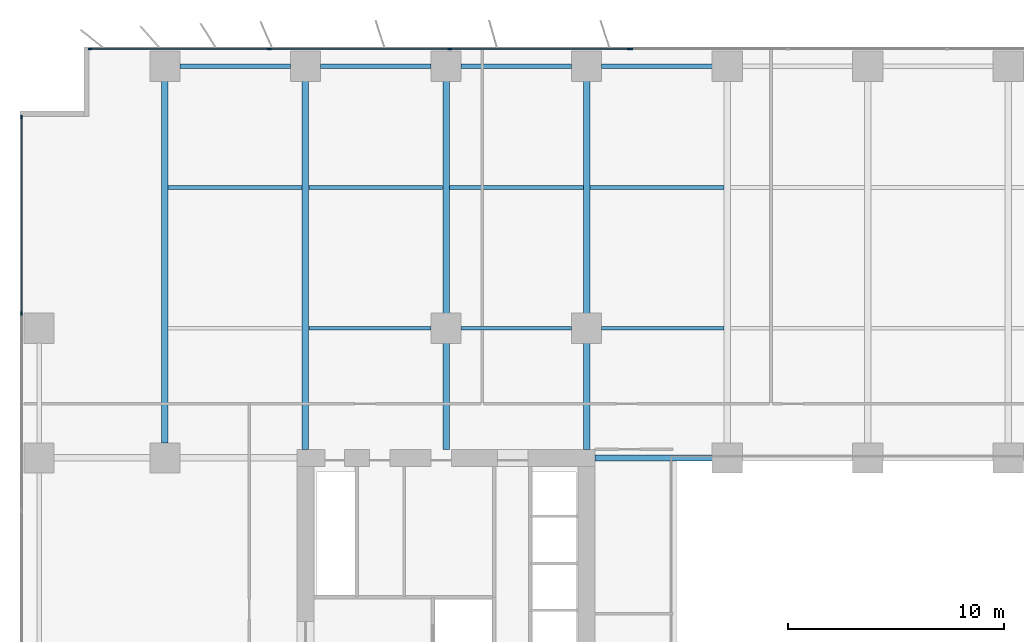
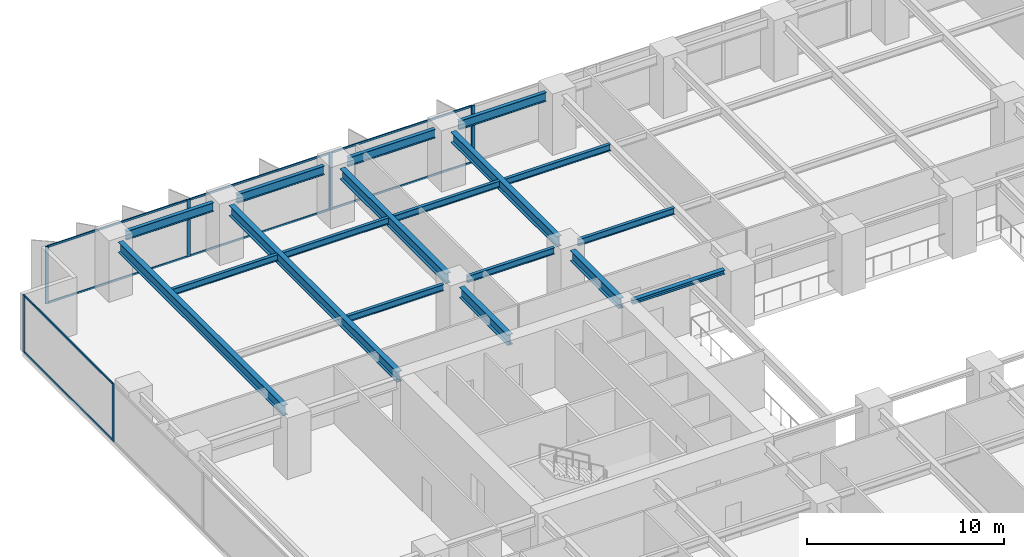
# One storey, part 7 of 20: 18 beams, 15 members, 3 elements without a shape of their own.
"""IFC4 building model written with IfcOpenShell, lengths in metres."""

import ifcopenshell
import ifcopenshell.guid

model = None  # the IFC model being written
_history = None  # IfcOwnerHistory: only IFC2X3 demands one
_inside = {}  # id of a spatial element -> (the spatial element, [elements in it])
_under = {}  # id of a project, library or spatial element -> (it, [spatial elements below it])
_declared = {}  # id of a project -> (the project, [libraries it declares])
_typed = {}  # id of a type object -> (the type object, [elements of that type])
_made_of = {}  # id of a material, layer set ... -> (it, [elements and type objects made of it])


def new_model(schema):
    """Start an empty IFC model of exactly this schema.

    Asked for "IFC4X3", IfcOpenShell would pick the latest addendum, in which some entities
    have other attributes; the version numbers below select the first issue.
    IFC2X3 requires an IfcOwnerHistory on every rooted entity: one is made here for all.
    """
    global model, _history
    if schema == "IFC4X3":
        model = ifcopenshell.file(schema_version=(4, 3, 0, 0))
    else:
        model = ifcopenshell.file(schema=schema)
    _inside.clear()
    _under.clear()
    _declared.clear()
    _typed.clear()
    _made_of.clear()
    _history = None
    if model.schema == "IFC2X3":
        org = make("IfcOrganization", Name="unknown")
        user = make(
            "IfcPersonAndOrganization",
            ThePerson=make("IfcPerson", FamilyName="unknown"),
            TheOrganization=org,
        )
        app = make(
            "IfcApplication",
            ApplicationDeveloper=org,
            Version="unknown",
            ApplicationFullName="unknown",
            ApplicationIdentifier="unknown",
        )
        _history = make(
            "IfcOwnerHistory",
            OwningUser=user,
            OwningApplication=app,
            ChangeAction="ADDED",
            CreationDate=0,
        )
    return model


def make(cls, **values):
    """One entity of the class cls with the attributes given. An attribute that is None is left unset."""
    return model.create_entity(
        cls, **{name: value for name, value in values.items() if value is not None}
    )


def rooted(cls, **values):
    """An entity with a GlobalId (a new one), such as an element, a storey or a relation."""
    return make(cls, GlobalId=ifcopenshell.guid.new(), OwnerHistory=_history, **values)


def si_unit(unit_type, name, prefix=None):
    """IfcSIUnit, for example si_unit("LENGTHUNIT", "METRE", prefix="MILLI")."""
    return make("IfcSIUnit", UnitType=unit_type, Prefix=prefix, Name=name)


def assignment(units):
    """IfcUnitAssignment: the units of a project."""
    return None if units is None else make("IfcUnitAssignment", Units=units)


def point(xyz):
    """IfcCartesianPoint."""
    return None if xyz is None else make("IfcCartesianPoint", Coordinates=xyz)


def direction(xyz):
    """IfcDirection."""
    return None if xyz is None else make("IfcDirection", DirectionRatios=xyz)


def frame(location, z_axis=None, x_axis=None):
    """IfcAxis2Placement3D, a coordinate frame: its origin and axes. An axis left out is left unset."""
    return make(
        "IfcAxis2Placement3D",
        Location=point(location),
        Axis=direction(z_axis),
        RefDirection=direction(x_axis),
    )


def frame_2d(location, x_axis=None):
    """IfcAxis2Placement2D, a coordinate frame in the plane: its origin and x axis."""
    return make(
        "IfcAxis2Placement2D", Location=point(location), RefDirection=direction(x_axis)
    )


def origin():
    """The frame at (0, 0, 0) with its axes left unset."""
    return frame((0.0, 0.0, 0.0))


def origin_2d():
    """The frame at (0, 0) in the plane with its x axis left unset."""
    return frame_2d((0.0, 0.0))


def place(relative_to, where):
    """IfcLocalPlacement: puts the frame where relative to a parent placement (None: the world)."""
    return make(
        "IfcLocalPlacement", PlacementRelTo=relative_to, RelativePlacement=where
    )


def context(
    kind, dimensions, precision=None, world=None, true_north=None, identifier=None
):
    """IfcGeometricRepresentationContext, for example the 3D "Model" context."""
    return make(
        "IfcGeometricRepresentationContext",
        ContextIdentifier=identifier,
        ContextType=kind,
        CoordinateSpaceDimension=dimensions,
        Precision=precision,
        WorldCoordinateSystem=world,
        TrueNorth=true_north,
    )


def subcontext(parent, identifier, kind, view, scale=None):
    """IfcGeometricRepresentationSubContext, for example "Body" below "Model"."""
    return make(
        "IfcGeometricRepresentationSubContext",
        ContextIdentifier=identifier,
        ContextType=kind,
        ParentContext=parent,
        TargetScale=scale,
        TargetView=view,
    )


def project(units=None, contexts=None):
    """IfcProject with its units and contexts."""
    return rooted(
        "IfcProject",
        Name="project",
        RepresentationContexts=contexts,
        UnitsInContext=assignment(units),
    )


def spatial(cls, under=None, at=None, **own):
    """A site, building, storey or space (cls), placed at a placement, below another one or the project."""
    s = rooted(cls, ObjectPlacement=at, **own)
    if under is not None:
        _under.setdefault(under.id(), (under, []))[1].append(s)
    return s


def profile(cls, at=None, kind="AREA", **sizes):
    """A parametric profile (cls). Its sizes go by their IFC names, for example OverallWidth=200.0."""
    return make(cls, ProfileType=kind, Position=at, **sizes)


def rectangle(**sizes):
    """IfcRectangleProfileDef."""
    return profile("IfcRectangleProfileDef", **sizes)


def i_section(**sizes):
    """IfcIShapeProfileDef."""
    return profile("IfcIShapeProfileDef", **sizes)


def extrude(swept, where, along, depth):
    """IfcExtrudedAreaSolid: the profile swept, set in the frame where, extruded along a direction by depth."""
    return make(
        "IfcExtrudedAreaSolid",
        SweptArea=swept,
        Position=where,
        ExtrudedDirection=direction(along),
        Depth=depth,
    )


def shape(context_of_items, identifier, shape_type, items):
    """IfcShapeRepresentation: the items that make up one representation, for example the "Body"."""
    return make(
        "IfcShapeRepresentation",
        ContextOfItems=context_of_items,
        RepresentationIdentifier=identifier,
        RepresentationType=shape_type,
        Items=items,
    )


def material(Name=None, Category=None):
    """IfcMaterial."""
    return make("IfcMaterial", Name=Name, Category=Category)


def layer(
    of_material, thickness, ventilated=None, Name=None, Category=None, Priority=None
):
    """IfcMaterialLayer: one layer of a wall or slab, of a material (None: an air gap)."""
    return make(
        "IfcMaterialLayer",
        Material=of_material,
        LayerThickness=thickness,
        IsVentilated=ventilated,
        Name=Name,
        Category=Category,
        Priority=Priority,
    )


def layer_set(layers, Name=None):
    """IfcMaterialLayerSet."""
    return make("IfcMaterialLayerSet", MaterialLayers=layers, LayerSetName=Name)


def material_profile(
    of_material, cross_section, Name=None, Category=None, Priority=None
):
    """IfcMaterialProfile: a cross section and its material."""
    return make(
        "IfcMaterialProfile",
        Name=Name,
        Material=of_material,
        Profile=cross_section,
        Priority=Priority,
        Category=Category,
    )


def profile_set(profiles, Name=None, composite=None):
    """IfcMaterialProfileSet."""
    return make(
        "IfcMaterialProfileSet",
        Name=Name,
        MaterialProfiles=profiles,
        CompositeProfile=composite,
    )


def made_of(thing, what):
    """Note that an element or type object is made of a material, layer set ...; save() writes the relation."""
    if what is not None:
        _made_of.setdefault(what.id(), (what, []))[1].append(thing)
    return thing


def type_object(cls, material=None, **own):
    """A type object (cls), such as IfcWallType, which elements share."""
    return made_of(rooted(cls, **own), material)


def element(
    cls,
    number,
    at=None,
    inside=None,
    cuts=None,
    type_object=None,
    material=None,
    context=None,
    identifier="Body",
    shape_type=None,
    held_by="IfcProductDefinitionShape",
    body=None,
    shapes=None,
    **own,
):
    """One element of the class cls, such as IfcWall. Its Tag is "e" and its number.

    at: its placement. inside: the storey or other place that contains it. cuts: it is an
    opening in that element (IfcRelVoidsElement). A single representation is given by context,
    identifier, shape_type and body (its items); several are given by shapes. held_by: the class
    of the entity that holds the representations. save() writes the other relations.
    """
    e = rooted(cls, Tag="e%d" % number, ObjectPlacement=at, **own)
    if body is not None:
        shapes = [shape(context, identifier, shape_type, body)]
    if shapes is not None:
        e.Representation = make(held_by, Representations=shapes)
    if inside is not None:
        _inside.setdefault(inside.id(), (inside, []))[1].append(e)
    if cuts is not None:
        rooted(
            "IfcRelVoidsElement", RelatingBuildingElement=cuts, RelatedOpeningElement=e
        )
    if type_object is not None:
        _typed.setdefault(type_object.id(), (type_object, []))[1].append(e)
    return made_of(e, material)


def aggregate(whole, parts):
    """IfcRelAggregates: a whole, such as a stair, and the parts it consists of."""
    return rooted("IfcRelAggregates", RelatingObject=whole, RelatedObjects=parts)


def save(model, path):
    """Write the relations noted so far, then the file.

    IfcRelAggregates (storeys below a building ...), IfcRelContainedInSpatialStructure (elements
    in a storey), IfcRelDefinesByType, IfcRelAssociatesMaterial and IfcRelDeclares: one each for
    every whole, place, type object, material and project.
    """
    for whole, parts in _under.values():
        aggregate(whole, parts)
    for where, things in _inside.values():
        rooted(
            "IfcRelContainedInSpatialStructure",
            RelatedElements=things,
            RelatingStructure=where,
        )
    for kind, things in _typed.values():
        rooted("IfcRelDefinesByType", RelatedObjects=things, RelatingType=kind)
    for what, things in _made_of.values():
        rooted("IfcRelAssociatesMaterial", RelatedObjects=things, RelatingMaterial=what)
    for by, libraries in _declared.values():
        rooted("IfcRelDeclares", RelatingContext=by, RelatedDefinitions=libraries)
    model.write(path)


model = new_model("IFC4")

# Units and contexts
model_context = context("Model", 3, precision=1e-05, world=origin(), true_north=direction((0.0, 1.0)))
body_context = subcontext(model_context, "Body", "Model", "MODEL_VIEW")
ifc_project = project(units=[si_unit("LENGTHUNIT", "METRE"), si_unit("AREAUNIT", "SQUARE_METRE"), si_unit("VOLUMEUNIT", "CUBIC_METRE"), si_unit("PLANEANGLEUNIT", "RADIAN"), si_unit("MASSUNIT", "GRAM", prefix="KILO")], contexts=[model_context])

# Site, building, storey
site_placement = place(None, origin())
site = spatial("IfcSite", under=ifc_project, at=site_placement, CompositionType="ELEMENT")
building_placement = place(site_placement, origin())
building = spatial("IfcBuilding", under=site, at=building_placement, Name="Putna Gate Headquarters", CompositionType="ELEMENT")
storey_placement = place(building_placement, frame((0.0, 0.0, 65.800048828125)))
storey = spatial("IfcBuildingStorey", under=building, at=storey_placement, Name="L15", CompositionType="ELEMENT", Elevation=65.800048828125)

# Beams
ifc_material_1 = material(Name="Steel S355J2", Category="steel")
ifc_material_profile_1 = material_profile(ifc_material_1, i_section(OverallWidth=0.260009765625, OverallDepth=0.260009765625, WebThickness=0.010009765625, FlangeThickness=0.017578125, at=origin_2d()), Name="Steel S355J2")
ifc_profile_set_1 = profile_set([ifc_material_profile_1], Name="Steel S355J2")
beam_type_1 = type_object("IfcBeamType", Name="BM-ATRIUM-HEB260", PredefinedType="BEAM", material=ifc_profile_set_1)
beam_1_placement = place(storey_placement, frame((26.385009765625, 33.0, 3.419921875), z_axis=(1.0, 0.0, 0.0), x_axis=(0.0, 1.0, 0.0)))
element("IfcBeam", 1, at=beam_1_placement, inside=storey, type_object=beam_type_1, Name="L15 Atrium Edge Beam AN1", PredefinedType="BEAM", context=body_context, shape_type="SweptSolid", body=[
    extrude(i_section(OverallWidth=0.260009765625, OverallDepth=0.260009765625, WebThickness=0.010009765625, FlangeThickness=0.017578125, at=origin_2d()), origin(), (0.0, 0.0, 1.0), 5.427001953125),
])
ifc_material_profile_2 = material_profile(ifc_material_1, i_section(OverallWidth=0.300048828125, OverallDepth=0.64990234375, WebThickness=0.01611328125, FlangeThickness=0.031005859375, at=origin_2d()), Name="Steel S355J2")
ifc_profile_set_2 = profile_set([ifc_material_profile_2], Name="Steel S355J2")
beam_type_2 = type_object("IfcBeamType", Name="BM-GIRD-Z1-HEB650", PredefinedType="USERDEFINED", material=ifc_profile_set_2)
beam_2_placement = place(storey_placement, frame((6.5, 33.68798828125, 3.224853515625), z_axis=(0.0, 1.0, 0.0), x_axis=(-1.0, 0.0, 0.0)))
element("IfcBeam", 2, at=beam_2_placement, inside=storey, type_object=beam_type_2, Name="L15 North Primary Girder X6", ObjectType="GIRDER", PredefinedType="USERDEFINED", context=body_context, shape_type="SweptSolid", body=[
    extrude(i_section(OverallWidth=0.300048828125, OverallDepth=0.64990234375, WebThickness=0.01611328125, FlangeThickness=0.031005859375, at=origin_2d()), origin(), (0.0, 0.0, 1.0), 16.743896484375),
])
beam_3_placement = place(storey_placement, frame((13.0, 33.385009765625, 3.224853515625), z_axis=(0.0, 1.0, 0.0), x_axis=(-1.0, 0.0, 0.0)))
element("IfcBeam", 3, at=beam_3_placement, inside=storey, type_object=beam_type_2, Name="L15 North Primary Girder X13", ObjectType="GIRDER", PredefinedType="USERDEFINED", context=body_context, shape_type="SweptSolid", body=[
    extrude(i_section(OverallWidth=0.300048828125, OverallDepth=0.64990234375, WebThickness=0.01611328125, FlangeThickness=0.031005859375, at=origin_2d()), origin(), (0.0, 0.0, 1.0), 17.046875),
])
beam_4_placement = place(storey_placement, frame((19.5, 33.385009765625, 3.224853515625), z_axis=(0.0, 1.0, 0.0), x_axis=(-1.0, 0.0, 0.0)))
element("IfcBeam", 4, at=beam_4_placement, inside=storey, type_object=beam_type_2, Name="L15 North Primary Girder X19-1", ObjectType="GIRDER", PredefinedType="USERDEFINED", context=body_context, shape_type="SweptSolid", body=[
    extrude(i_section(OverallWidth=0.300048828125, OverallDepth=0.64990234375, WebThickness=0.01611328125, FlangeThickness=0.031005859375, at=origin_2d()), origin(), (0.0, 0.0, 1.0), 4.927001953125),
])
beam_5_placement = place(storey_placement, frame((19.5, 39.68798828125, 3.224853515625), z_axis=(0.0, 1.0, 0.0), x_axis=(-1.0, 0.0, 0.0)))
element("IfcBeam", 5, at=beam_5_placement, inside=storey, type_object=beam_type_2, Name="L15 North Primary Girder X19-2", ObjectType="GIRDER", PredefinedType="USERDEFINED", context=body_context, shape_type="SweptSolid", body=[
    extrude(i_section(OverallWidth=0.300048828125, OverallDepth=0.64990234375, WebThickness=0.01611328125, FlangeThickness=0.031005859375, at=origin_2d()), origin(), (0.0, 0.0, 1.0), 10.743896484375),
])
beam_6_placement = place(storey_placement, frame((26.0, 33.385009765625, 3.224853515625), z_axis=(0.0, 1.0, 0.0), x_axis=(-1.0, 0.0, 0.0)))
element("IfcBeam", 6, at=beam_6_placement, inside=storey, type_object=beam_type_2, Name="L15 North Primary Girder X26-1", ObjectType="GIRDER", PredefinedType="USERDEFINED", context=body_context, shape_type="SweptSolid", body=[
    extrude(i_section(OverallWidth=0.300048828125, OverallDepth=0.64990234375, WebThickness=0.01611328125, FlangeThickness=0.031005859375, at=origin_2d()), origin(), (0.0, 0.0, 1.0), 4.927001953125),
])
beam_7_placement = place(storey_placement, frame((26.0, 39.68798828125, 3.224853515625), z_axis=(0.0, 1.0, 0.0), x_axis=(-1.0, 0.0, 0.0)))
element("IfcBeam", 7, at=beam_7_placement, inside=storey, type_object=beam_type_2, Name="L15 North Primary Girder X26-2", ObjectType="GIRDER", PredefinedType="USERDEFINED", context=body_context, shape_type="SweptSolid", body=[
    extrude(i_section(OverallWidth=0.300048828125, OverallDepth=0.64990234375, WebThickness=0.01611328125, FlangeThickness=0.031005859375, at=origin_2d()), origin(), (0.0, 0.0, 1.0), 10.743896484375),
])
ifc_material_profile_3 = material_profile(ifc_material_1, i_section(OverallWidth=0.179931640625, OverallDepth=0.39990234375, WebThickness=0.008544921875, FlangeThickness=0.013427734375, at=origin_2d()), Name="Steel S355J2")
ifc_profile_set_3 = profile_set([ifc_material_profile_3], Name="Steel S355J2")
beam_type_3 = type_object("IfcBeamType", Name="BM-SEC-Z1-IPE400", PredefinedType="BEAM", material=ifc_profile_set_3)
beam_8_placement = place(storey_placement, frame((6.654052734375, 45.5, 3.349853515625), z_axis=(1.0, 0.0, 0.0), x_axis=(0.0, 1.0, 0.0)))
element("IfcBeam", 8, at=beam_8_placement, inside=storey, type_object=beam_type_3, Name="L15 North Secondary Beam 1", PredefinedType="BEAM", context=body_context, shape_type="SweptSolid", body=[
    extrude(i_section(OverallWidth=0.179931640625, OverallDepth=0.39990234375, WebThickness=0.008544921875, FlangeThickness=0.013427734375, at=origin_2d()), origin(), (0.0, 0.0, 1.0), 6.19189453125),
])
beam_9_placement = place(storey_placement, frame((13.154052734375, 39.0, 3.349853515625), z_axis=(1.0, 0.0, 0.0), x_axis=(0.0, 1.0, 0.0)))
element("IfcBeam", 9, at=beam_9_placement, inside=storey, type_object=beam_type_3, Name="L15 North Secondary Beam 2", PredefinedType="BEAM", context=body_context, shape_type="SweptSolid", body=[
    extrude(i_section(OverallWidth=0.179931640625, OverallDepth=0.39990234375, WebThickness=0.008544921875, FlangeThickness=0.013427734375, at=origin_2d()), origin(), (0.0, 0.0, 1.0), 5.657958984375),
])
beam_10_placement = place(storey_placement, frame((13.154052734375, 45.5, 3.349853515625), z_axis=(1.0, 0.0, 0.0), x_axis=(0.0, 1.0, 0.0)))
element("IfcBeam", 10, at=beam_10_placement, inside=storey, type_object=beam_type_3, Name="L15 North Secondary Beam 2", PredefinedType="BEAM", context=body_context, shape_type="SweptSolid", body=[
    extrude(i_section(OverallWidth=0.179931640625, OverallDepth=0.39990234375, WebThickness=0.008544921875, FlangeThickness=0.013427734375, at=origin_2d()), origin(), (0.0, 0.0, 1.0), 6.19189453125),
])
beam_11_placement = place(storey_placement, frame((20.18798828125, 39.0, 3.349853515625), z_axis=(1.0, 0.0, 0.0), x_axis=(0.0, 1.0, 0.0)))
element("IfcBeam", 11, at=beam_11_placement, inside=storey, type_object=beam_type_3, Name="L15 North Secondary Beam 3", PredefinedType="BEAM", context=body_context, shape_type="SweptSolid", body=[
    extrude(i_section(OverallWidth=0.179931640625, OverallDepth=0.39990234375, WebThickness=0.008544921875, FlangeThickness=0.013427734375, at=origin_2d()), origin(), (0.0, 0.0, 1.0), 5.1240234375),
])
beam_12_placement = place(storey_placement, frame((19.654052734375, 45.5, 3.349853515625), z_axis=(1.0, 0.0, 0.0), x_axis=(0.0, 1.0, 0.0)))
element("IfcBeam", 12, at=beam_12_placement, inside=storey, type_object=beam_type_3, Name="L15 North Secondary Beam 3", PredefinedType="BEAM", context=body_context, shape_type="SweptSolid", body=[
    extrude(i_section(OverallWidth=0.179931640625, OverallDepth=0.39990234375, WebThickness=0.008544921875, FlangeThickness=0.013427734375, at=origin_2d()), origin(), (0.0, 0.0, 1.0), 6.19189453125),
])
beam_13_placement = place(storey_placement, frame((26.68798828125, 39.0, 3.349853515625), z_axis=(1.0, 0.0, 0.0), x_axis=(0.0, 1.0, 0.0)))
element("IfcBeam", 13, at=beam_13_placement, inside=storey, type_object=beam_type_3, Name="L15 North Secondary Beam 4", PredefinedType="BEAM", context=body_context, shape_type="SweptSolid", body=[
    extrude(i_section(OverallWidth=0.179931640625, OverallDepth=0.39990234375, WebThickness=0.008544921875, FlangeThickness=0.013427734375, at=origin_2d()), origin(), (0.0, 0.0, 1.0), 5.657958984375),
])
beam_14_placement = place(storey_placement, frame((26.154052734375, 45.5, 3.349853515625), z_axis=(1.0, 0.0, 0.0), x_axis=(0.0, 1.0, 0.0)))
element("IfcBeam", 14, at=beam_14_placement, inside=storey, type_object=beam_type_3, Name="L15 North Secondary Beam 4", PredefinedType="BEAM", context=body_context, shape_type="SweptSolid", body=[
    extrude(i_section(OverallWidth=0.179931640625, OverallDepth=0.39990234375, WebThickness=0.008544921875, FlangeThickness=0.013427734375, at=origin_2d()), origin(), (0.0, 0.0, 1.0), 6.19189453125),
])
ifc_material_profile_4 = material_profile(ifc_material_1, i_section(OverallWidth=0.2099609375, OverallDepth=0.550048828125, WebThickness=0.010986328125, FlangeThickness=0.01708984375, at=origin_2d()), Name="Steel S355J2")
ifc_profile_set_4 = profile_set([ifc_material_profile_4], Name="Steel S355J2")
beam_type_4 = type_object("IfcBeamType", Name="BM-SPAN-Z1-IPE550", PredefinedType="SPANDREL", material=ifc_profile_set_4)
for number, where, z_axis, x_axis, name in (
    (15, (7.18798828125, 51.1201171875, 3.27490234375), (1.0, 0.0, 0.0), (0.0, 1.0, 0.0), "L15 N Perimeter Spandrel 1"),
    (16, (13.68798828125, 51.1201171875, 3.27490234375), (1.0, 0.0, 0.0), (0.0, 1.0, 0.0), "L15 N Perimeter Spandrel 2"),
    (17, (20.18798828125, 51.1201171875, 3.27490234375), (1.0, 0.0, 0.0), (0.0, 1.0, 0.0), "L15 N Perimeter Spandrel 3"),
    (18, (26.68798828125, 51.1201171875, 3.27490234375), (1.0, 0.0, 0.0), (0.0, 1.0, 0.0), "L15 N Perimeter Spandrel 4"),
):
    element("IfcBeam", number, at=place(storey_placement, frame(where, z_axis=z_axis, x_axis=x_axis)), inside=storey, type_object=beam_type_4, Name=name, PredefinedType="SPANDREL", context=body_context, shape_type="SweptSolid", body=[
        extrude(i_section(OverallWidth=0.2099609375, OverallDepth=0.550048828125, WebThickness=0.010986328125, FlangeThickness=0.01708984375, at=origin_2d()), origin(), (0.0, 0.0, 1.0), 5.1240234375),
    ])

# Curtain wall, members
ifc_material_2 = material(Name="Anodised bronze aluminium curtain wall", Category="aluminium")
ifc_layer_1 = layer(ifc_material_2, 0.179931640625)
ifc_layer_set_1 = layer_set([ifc_layer_1], Name="Anodised bronze aluminium curtain wall")
curtain_wall_type_1 = type_object("IfcCurtainWallType", Name="CW-SYS-Z1", PredefinedType="USERDEFINED", material=ifc_layer_set_1)
curtain_wall_1_placement = place(storey_placement, origin())
curtain_wall_1 = element("IfcCurtainWall", 19, at=curtain_wall_1_placement, inside=storey, type_object=curtain_wall_type_1, Name="L15 North West Curtain Wall", ObjectType="STICK CURTAIN WALL", PredefinedType="USERDEFINED")
ifc_material_3 = material(Name="Anodised bronze aluminium EN AW-6060", Category="aluminium")
ifc_material_profile_5 = material_profile(ifc_material_3, rectangle(XDim=0.070068359375, YDim=0.179931640625, at=origin_2d()), Name="Anodised bronze aluminium EN AW-6060")
ifc_profile_set_5 = profile_set([ifc_material_profile_5], Name="Anodised bronze aluminium EN AW-6060")
member_type_1 = type_object("IfcMemberType", Name="MULL-CWM-1", PredefinedType="MULLION", material=ifc_profile_set_5)
member_1_placement = place(storey_placement, frame((3.034912109375, 51.919921875, 0.0), z_axis=(0.0, 0.0, 1.0), x_axis=(0.0, 1.0, 0.0)))
member_1 = element("IfcMember", 20, at=member_1_placement, type_object=member_type_1, Name="CWS-1 mullion 1", PredefinedType="MULLION", context=body_context, shape_type="SweptSolid", body=[
    extrude(rectangle(XDim=0.070068359375, YDim=0.179931640625, at=origin_2d()), origin(), (0.0, 0.0, 1.0), 3.550048828125),
])
member_2_placement = place(storey_placement, frame((11.333251953125, 51.919921875, 0.0), z_axis=(0.0, 0.0, 1.0), x_axis=(0.0, 1.0, 0.0)))
member_2 = element("IfcMember", 21, at=member_2_placement, type_object=member_type_1, Name="CWS-1 mullion 2", PredefinedType="MULLION", context=body_context, shape_type="SweptSolid", body=[
    extrude(rectangle(XDim=0.070068359375, YDim=0.179931640625, at=origin_2d()), origin(), (0.0, 0.0, 1.0), 3.550048828125),
])
member_3_placement = place(storey_placement, frame((19.666748046875, 51.919921875, 0.0), z_axis=(0.0, 0.0, 1.0), x_axis=(0.0, 1.0, 0.0)))
member_3 = element("IfcMember", 22, at=member_3_placement, type_object=member_type_1, Name="CWS-1 mullion 3", PredefinedType="MULLION", context=body_context, shape_type="SweptSolid", body=[
    extrude(rectangle(XDim=0.070068359375, YDim=0.179931640625, at=origin_2d()), origin(), (0.0, 0.0, 1.0), 3.550048828125),
])
member_4_placement = place(storey_placement, frame((27.965087890625, 51.919921875, 0.0), z_axis=(0.0, 0.0, 1.0), x_axis=(0.0, 1.0, 0.0)))
member_4 = element("IfcMember", 23, at=member_4_placement, type_object=member_type_1, Name="CWS-1 mullion 4", PredefinedType="MULLION", context=body_context, shape_type="SweptSolid", body=[
    extrude(rectangle(XDim=0.070068359375, YDim=0.179931640625, at=origin_2d()), origin(), (0.0, 0.0, 1.0), 3.550048828125),
])

curtain_wall_2_placement = place(storey_placement, origin())
curtain_wall_2 = element("IfcCurtainWall", 24, at=curtain_wall_2_placement, inside=storey, type_object=curtain_wall_type_1, Name="L15 West Curtain Wall", ObjectType="STICK CURTAIN WALL", PredefinedType="USERDEFINED")
member_5_placement = place(storey_placement, frame((-0.1201171875, 39.679931640625, 0.0), z_axis=(0.0, 0.0, 1.0), x_axis=(-1.0, 0.0, 0.0)))
member_5 = element("IfcMember", 25, at=member_5_placement, type_object=member_type_1, Name="CWS-1 mullion 5", PredefinedType="MULLION", context=body_context, shape_type="SweptSolid", body=[
    extrude(rectangle(XDim=0.070068359375, YDim=0.179931640625, at=origin_2d()), origin(), (0.0, 0.0, 1.0), 3.550048828125),
])
member_6_placement = place(storey_placement, frame((-0.1201171875, 48.764892578125, 0.0), z_axis=(0.0, 0.0, 1.0), x_axis=(-1.0, 0.0, 0.0)))
member_6 = element("IfcMember", 26, at=member_6_placement, type_object=member_type_1, Name="CWS-1 mullion 6", PredefinedType="MULLION", context=body_context, shape_type="SweptSolid", body=[
    extrude(rectangle(XDim=0.070068359375, YDim=0.179931640625, at=origin_2d()), origin(), (0.0, 0.0, 1.0), 3.550048828125),
])

# Curtain wall, member
ifc_layer_2 = layer(ifc_material_2, 0.179931640625)
ifc_layer_set_2 = layer_set([ifc_layer_2], Name="Anodised bronze aluminium curtain wall")
curtain_wall_type_2 = type_object("IfcCurtainWallType", Name="CW-SYS-ATR", PredefinedType="USERDEFINED", material=ifc_layer_set_2)
curtain_wall_3_placement = place(storey_placement, origin())
curtain_wall_3 = element("IfcCurtainWall", 27, at=curtain_wall_3_placement, inside=storey, type_object=curtain_wall_type_2, Name="L15 North Atrium Clear Glazing", ObjectType="ATRIUM GLAZING", PredefinedType="USERDEFINED")
ifc_material_profile_6 = material_profile(ifc_material_3, rectangle(XDim=0.070068359375, YDim=0.179931640625, at=origin_2d()), Name="Anodised bronze aluminium EN AW-6060")
ifc_profile_set_6 = profile_set([ifc_material_profile_6], Name="Anodised bronze aluminium EN AW-6060")
member_type_2 = type_object("IfcMemberType", Name="MULL-CWM-AT", PredefinedType="MULLION", material=ifc_profile_set_6)
member_7_placement = place(storey_placement, frame((28.034912109375, 51.919921875, 0.0), z_axis=(0.0, 0.0, 1.0), x_axis=(0.0, 1.0, 0.0)))
member_7 = element("IfcMember", 28, at=member_7_placement, type_object=member_type_2, Name="CWS-AT mullion 1", PredefinedType="MULLION", context=body_context, shape_type="SweptSolid", body=[
    extrude(rectangle(XDim=0.070068359375, YDim=0.179931640625, at=origin_2d()), origin(), (0.0, 0.0, 1.0), 3.550048828125),
])
aggregate(curtain_wall_3, [member_7])

# Member
ifc_material_profile_7 = material_profile(ifc_material_3, rectangle(XDim=0.06494140625, YDim=0.1201171875, at=origin_2d()), Name="Anodised bronze aluminium EN AW-6060")
ifc_profile_set_7 = profile_set([ifc_material_profile_7], Name="Anodised bronze aluminium EN AW-6060")
member_type_3 = type_object("IfcMemberType", Name="TRAN-CWT-1", PredefinedType="USERDEFINED", material=ifc_profile_set_7)
member_8_placement = place(storey_placement, frame((3.070068359375, 51.919921875, 0.032470703125), z_axis=(1.0, 0.0, 0.0), x_axis=(0.0, 1.0, 0.0)))
member_8 = element("IfcMember", 29, at=member_8_placement, type_object=member_type_3, Name="CWS-1 transom 1.1", ObjectType="TRANSOM", PredefinedType="USERDEFINED", context=body_context, shape_type="SweptSolid", body=[
    extrude(rectangle(XDim=0.06494140625, YDim=0.1201171875, at=origin_2d()), origin(), (0.0, 0.0, 1.0), 8.228271484375),
])

member_9_placement = place(storey_placement, frame((3.070068359375, 51.919921875, 3.517333984375), z_axis=(1.0, 0.0, 0.0), x_axis=(0.0, 1.0, 0.0)))
member_9 = element("IfcMember", 30, at=member_9_placement, type_object=member_type_3, Name="CWS-1 transom 1.2", ObjectType="TRANSOM", PredefinedType="USERDEFINED", context=body_context, shape_type="SweptSolid", body=[
    extrude(rectangle(XDim=0.06494140625, YDim=0.1201171875, at=origin_2d()), origin(), (0.0, 0.0, 1.0), 8.228271484375),
])

member_10_placement = place(storey_placement, frame((11.368408203125, 51.919921875, 0.032470703125), z_axis=(1.0, 0.0, 0.0), x_axis=(0.0, 1.0, 0.0)))
member_10 = element("IfcMember", 31, at=member_10_placement, type_object=member_type_3, Name="CWS-1 transom 2.1", ObjectType="TRANSOM", PredefinedType="USERDEFINED", context=body_context, shape_type="SweptSolid", body=[
    extrude(rectangle(XDim=0.06494140625, YDim=0.1201171875, at=origin_2d()), origin(), (0.0, 0.0, 1.0), 8.26318359375),
])

member_11_placement = place(storey_placement, frame((11.368408203125, 51.919921875, 3.517333984375), z_axis=(1.0, 0.0, 0.0), x_axis=(0.0, 1.0, 0.0)))
member_11 = element("IfcMember", 32, at=member_11_placement, type_object=member_type_3, Name="CWS-1 transom 2.2", ObjectType="TRANSOM", PredefinedType="USERDEFINED", context=body_context, shape_type="SweptSolid", body=[
    extrude(rectangle(XDim=0.06494140625, YDim=0.1201171875, at=origin_2d()), origin(), (0.0, 0.0, 1.0), 8.26318359375),
])

member_12_placement = place(storey_placement, frame((19.70166015625, 51.919921875, 0.032470703125), z_axis=(1.0, 0.0, 0.0), x_axis=(0.0, 1.0, 0.0)))
member_12 = element("IfcMember", 33, at=member_12_placement, type_object=member_type_3, Name="CWS-1 transom 3.1", ObjectType="TRANSOM", PredefinedType="USERDEFINED", context=body_context, shape_type="SweptSolid", body=[
    extrude(rectangle(XDim=0.06494140625, YDim=0.1201171875, at=origin_2d()), origin(), (0.0, 0.0, 1.0), 8.228271484375),
])

member_13_placement = place(storey_placement, frame((19.70166015625, 51.919921875, 3.517333984375), z_axis=(1.0, 0.0, 0.0), x_axis=(0.0, 1.0, 0.0)))
member_13 = element("IfcMember", 34, at=member_13_placement, type_object=member_type_3, Name="CWS-1 transom 3.2", ObjectType="TRANSOM", PredefinedType="USERDEFINED", context=body_context, shape_type="SweptSolid", body=[
    extrude(rectangle(XDim=0.06494140625, YDim=0.1201171875, at=origin_2d()), origin(), (0.0, 0.0, 1.0), 8.228271484375),
])

aggregate(curtain_wall_1, [member_1, member_2, member_3, member_4, member_8, member_9, member_10, member_11, member_12, member_13])

member_14_placement = place(storey_placement, frame((-0.1201171875, 39.715087890625, 0.032470703125), z_axis=(0.0, 1.0, 0.0), x_axis=(-1.0, 0.0, 0.0)))
member_14 = element("IfcMember", 35, at=member_14_placement, type_object=member_type_3, Name="CWS-1 transom 5.1", ObjectType="TRANSOM", PredefinedType="USERDEFINED", context=body_context, shape_type="SweptSolid", body=[
    extrude(rectangle(XDim=0.06494140625, YDim=0.1201171875, at=origin_2d()), origin(), (0.0, 0.0, 1.0), 9.014892578125),
])

member_15_placement = place(storey_placement, frame((-0.1201171875, 39.715087890625, 3.517333984375), z_axis=(0.0, 1.0, 0.0), x_axis=(-1.0, 0.0, 0.0)))
member_15 = element("IfcMember", 36, at=member_15_placement, type_object=member_type_3, Name="CWS-1 transom 5.2", ObjectType="TRANSOM", PredefinedType="USERDEFINED", context=body_context, shape_type="SweptSolid", body=[
    extrude(rectangle(XDim=0.06494140625, YDim=0.1201171875, at=origin_2d()), origin(), (0.0, 0.0, 1.0), 9.014892578125),
])

aggregate(curtain_wall_2, [member_5, member_6, member_14, member_15])

save(model, "model.ifc")
